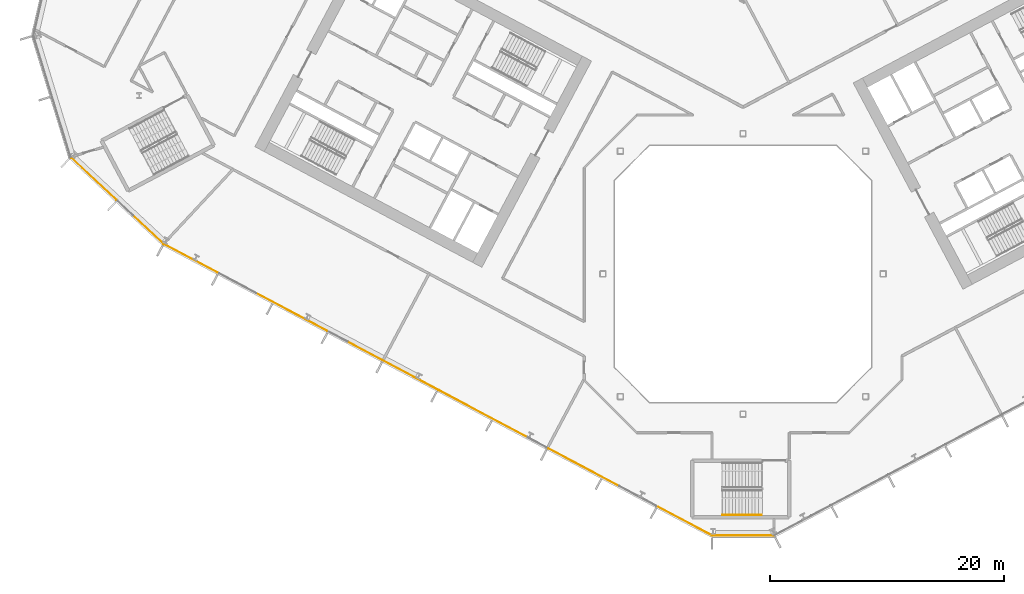
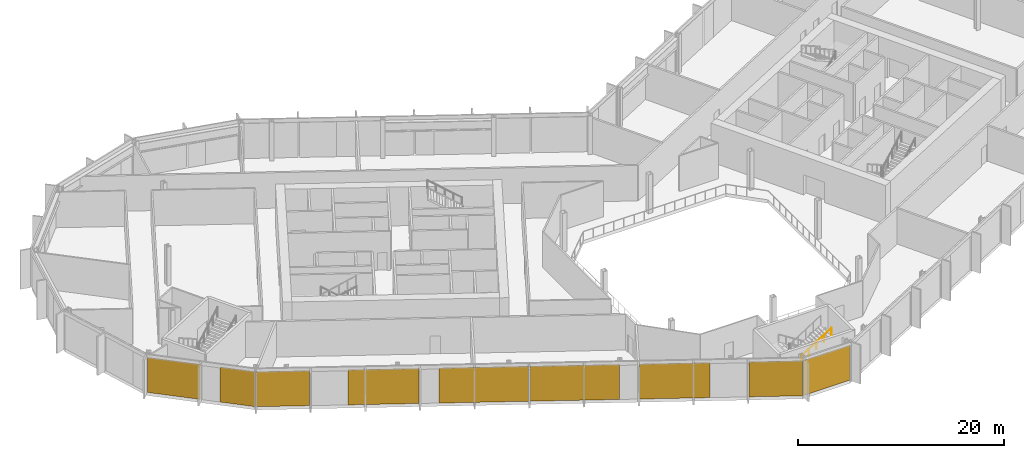
# One storey, part 21 of 31: 9 coverings, 1 railing, 3 elements without a shape of their own.
"""IFC4 building model written with IfcOpenShell, lengths in metres."""

import ifcopenshell
import ifcopenshell.guid

model = None  # the IFC model being written
_history = None  # IfcOwnerHistory: only IFC2X3 demands one
_inside = {}  # id of a spatial element -> (the spatial element, [elements in it])
_under = {}  # id of a project, library or spatial element -> (it, [spatial elements below it])
_declared = {}  # id of a project -> (the project, [libraries it declares])
_typed = {}  # id of a type object -> (the type object, [elements of that type])
_made_of = {}  # id of a material, layer set ... -> (it, [elements and type objects made of it])


def new_model(schema):
    """Start an empty IFC model of exactly this schema.

    Asked for "IFC4X3", IfcOpenShell would pick the latest addendum, in which some entities
    have other attributes; the version numbers below select the first issue.
    IFC2X3 requires an IfcOwnerHistory on every rooted entity: one is made here for all.
    """
    global model, _history
    if schema == "IFC4X3":
        model = ifcopenshell.file(schema_version=(4, 3, 0, 0))
    else:
        model = ifcopenshell.file(schema=schema)
    _inside.clear()
    _under.clear()
    _declared.clear()
    _typed.clear()
    _made_of.clear()
    _history = None
    if model.schema == "IFC2X3":
        org = make("IfcOrganization", Name="unknown")
        user = make(
            "IfcPersonAndOrganization",
            ThePerson=make("IfcPerson", FamilyName="unknown"),
            TheOrganization=org,
        )
        app = make(
            "IfcApplication",
            ApplicationDeveloper=org,
            Version="unknown",
            ApplicationFullName="unknown",
            ApplicationIdentifier="unknown",
        )
        _history = make(
            "IfcOwnerHistory",
            OwningUser=user,
            OwningApplication=app,
            ChangeAction="ADDED",
            CreationDate=0,
        )
    return model


def make(cls, **values):
    """One entity of the class cls with the attributes given. An attribute that is None is left unset."""
    return model.create_entity(
        cls, **{name: value for name, value in values.items() if value is not None}
    )


def rooted(cls, **values):
    """An entity with a GlobalId (a new one), such as an element, a storey or a relation."""
    return make(cls, GlobalId=ifcopenshell.guid.new(), OwnerHistory=_history, **values)


def si_unit(unit_type, name, prefix=None):
    """IfcSIUnit, for example si_unit("LENGTHUNIT", "METRE", prefix="MILLI")."""
    return make("IfcSIUnit", UnitType=unit_type, Prefix=prefix, Name=name)


def assignment(units):
    """IfcUnitAssignment: the units of a project."""
    return None if units is None else make("IfcUnitAssignment", Units=units)


def point(xyz):
    """IfcCartesianPoint."""
    return None if xyz is None else make("IfcCartesianPoint", Coordinates=xyz)


def direction(xyz):
    """IfcDirection."""
    return None if xyz is None else make("IfcDirection", DirectionRatios=xyz)


def frame(location, z_axis=None, x_axis=None):
    """IfcAxis2Placement3D, a coordinate frame: its origin and axes. An axis left out is left unset."""
    return make(
        "IfcAxis2Placement3D",
        Location=point(location),
        Axis=direction(z_axis),
        RefDirection=direction(x_axis),
    )


def frame_2d(location, x_axis=None):
    """IfcAxis2Placement2D, a coordinate frame in the plane: its origin and x axis."""
    return make(
        "IfcAxis2Placement2D", Location=point(location), RefDirection=direction(x_axis)
    )


def origin():
    """The frame at (0, 0, 0) with its axes left unset."""
    return frame((0.0, 0.0, 0.0))


def origin_2d():
    """The frame at (0, 0) in the plane with its x axis left unset."""
    return frame_2d((0.0, 0.0))


def place(relative_to, where):
    """IfcLocalPlacement: puts the frame where relative to a parent placement (None: the world)."""
    return make(
        "IfcLocalPlacement", PlacementRelTo=relative_to, RelativePlacement=where
    )


def context(
    kind, dimensions, precision=None, world=None, true_north=None, identifier=None
):
    """IfcGeometricRepresentationContext, for example the 3D "Model" context."""
    return make(
        "IfcGeometricRepresentationContext",
        ContextIdentifier=identifier,
        ContextType=kind,
        CoordinateSpaceDimension=dimensions,
        Precision=precision,
        WorldCoordinateSystem=world,
        TrueNorth=true_north,
    )


def subcontext(parent, identifier, kind, view, scale=None):
    """IfcGeometricRepresentationSubContext, for example "Body" below "Model"."""
    return make(
        "IfcGeometricRepresentationSubContext",
        ContextIdentifier=identifier,
        ContextType=kind,
        ParentContext=parent,
        TargetScale=scale,
        TargetView=view,
    )


def project(units=None, contexts=None):
    """IfcProject with its units and contexts."""
    return rooted(
        "IfcProject",
        Name="project",
        RepresentationContexts=contexts,
        UnitsInContext=assignment(units),
    )


def spatial(cls, under=None, at=None, **own):
    """A site, building, storey or space (cls), placed at a placement, below another one or the project."""
    s = rooted(cls, ObjectPlacement=at, **own)
    if under is not None:
        _under.setdefault(under.id(), (under, []))[1].append(s)
    return s


def polyline(points):
    """IfcPolyline through the points."""
    return make("IfcPolyline", Points=[point(p) for p in points])


def profile(cls, at=None, kind="AREA", **sizes):
    """A parametric profile (cls). Its sizes go by their IFC names, for example OverallWidth=200.0."""
    return make(cls, ProfileType=kind, Position=at, **sizes)


def rectangle(**sizes):
    """IfcRectangleProfileDef."""
    return profile("IfcRectangleProfileDef", **sizes)


def outline(outer, holes=None, kind="AREA"):
    """IfcArbitraryClosedProfileDef: a profile drawn as a closed curve; with holes, ...WithVoids."""
    if holes is None:
        return make("IfcArbitraryClosedProfileDef", ProfileType=kind, OuterCurve=outer)
    return make(
        "IfcArbitraryProfileDefWithVoids",
        ProfileType=kind,
        OuterCurve=outer,
        InnerCurves=holes,
    )


def extrude(swept, where, along, depth):
    """IfcExtrudedAreaSolid: the profile swept, set in the frame where, extruded along a direction by depth."""
    return make(
        "IfcExtrudedAreaSolid",
        SweptArea=swept,
        Position=where,
        ExtrudedDirection=direction(along),
        Depth=depth,
    )


def shape(context_of_items, identifier, shape_type, items):
    """IfcShapeRepresentation: the items that make up one representation, for example the "Body"."""
    return make(
        "IfcShapeRepresentation",
        ContextOfItems=context_of_items,
        RepresentationIdentifier=identifier,
        RepresentationType=shape_type,
        Items=items,
    )


def material(Name=None, Category=None):
    """IfcMaterial."""
    return make("IfcMaterial", Name=Name, Category=Category)


def layer(
    of_material, thickness, ventilated=None, Name=None, Category=None, Priority=None
):
    """IfcMaterialLayer: one layer of a wall or slab, of a material (None: an air gap)."""
    return make(
        "IfcMaterialLayer",
        Material=of_material,
        LayerThickness=thickness,
        IsVentilated=ventilated,
        Name=Name,
        Category=Category,
        Priority=Priority,
    )


def layer_set(layers, Name=None):
    """IfcMaterialLayerSet."""
    return make("IfcMaterialLayerSet", MaterialLayers=layers, LayerSetName=Name)


def made_of(thing, what):
    """Note that an element or type object is made of a material, layer set ...; save() writes the relation."""
    if what is not None:
        _made_of.setdefault(what.id(), (what, []))[1].append(thing)
    return thing


def type_object(cls, material=None, **own):
    """A type object (cls), such as IfcWallType, which elements share."""
    return made_of(rooted(cls, **own), material)


def element(
    cls,
    number,
    at=None,
    inside=None,
    cuts=None,
    type_object=None,
    material=None,
    context=None,
    identifier="Body",
    shape_type=None,
    held_by="IfcProductDefinitionShape",
    body=None,
    shapes=None,
    **own,
):
    """One element of the class cls, such as IfcWall. Its Tag is "e" and its number.

    at: its placement. inside: the storey or other place that contains it. cuts: it is an
    opening in that element (IfcRelVoidsElement). A single representation is given by context,
    identifier, shape_type and body (its items); several are given by shapes. held_by: the class
    of the entity that holds the representations. save() writes the other relations.
    """
    e = rooted(cls, Tag="e%d" % number, ObjectPlacement=at, **own)
    if body is not None:
        shapes = [shape(context, identifier, shape_type, body)]
    if shapes is not None:
        e.Representation = make(held_by, Representations=shapes)
    if inside is not None:
        _inside.setdefault(inside.id(), (inside, []))[1].append(e)
    if cuts is not None:
        rooted(
            "IfcRelVoidsElement", RelatingBuildingElement=cuts, RelatedOpeningElement=e
        )
    if type_object is not None:
        _typed.setdefault(type_object.id(), (type_object, []))[1].append(e)
    return made_of(e, material)


def aggregate(whole, parts):
    """IfcRelAggregates: a whole, such as a stair, and the parts it consists of."""
    return rooted("IfcRelAggregates", RelatingObject=whole, RelatedObjects=parts)


def save(model, path):
    """Write the relations noted so far, then the file.

    IfcRelAggregates (storeys below a building ...), IfcRelContainedInSpatialStructure (elements
    in a storey), IfcRelDefinesByType, IfcRelAssociatesMaterial and IfcRelDeclares: one each for
    every whole, place, type object, material and project.
    """
    for whole, parts in _under.values():
        aggregate(whole, parts)
    for where, things in _inside.values():
        rooted(
            "IfcRelContainedInSpatialStructure",
            RelatedElements=things,
            RelatingStructure=where,
        )
    for kind, things in _typed.values():
        rooted("IfcRelDefinesByType", RelatedObjects=things, RelatingType=kind)
    for what, things in _made_of.values():
        rooted("IfcRelAssociatesMaterial", RelatedObjects=things, RelatingMaterial=what)
    for by, libraries in _declared.values():
        rooted("IfcRelDeclares", RelatingContext=by, RelatedDefinitions=libraries)
    model.write(path)


model = new_model("IFC4")

# Units and contexts
model_context = context("Model", 3, precision=1e-05, world=origin(), true_north=direction((0.0, 1.0)))
body_context = subcontext(model_context, "Body", "Model", "MODEL_VIEW")
ifc_project = project(units=[si_unit("LENGTHUNIT", "METRE"), si_unit("AREAUNIT", "SQUARE_METRE"), si_unit("VOLUMEUNIT", "CUBIC_METRE"), si_unit("PLANEANGLEUNIT", "RADIAN"), si_unit("MASSUNIT", "GRAM", prefix="KILO")], contexts=[model_context])

# Site, building, storey
site_placement = place(None, origin())
site = spatial("IfcSite", under=ifc_project, at=site_placement, CompositionType="ELEMENT")
building_placement = place(site_placement, origin())
building = spatial("IfcBuilding", under=site, at=building_placement, Name="Cormorant Relay Tower", CompositionType="ELEMENT")
storey_placement = place(building_placement, frame((0.0, 0.0, 93.800048828125)))
storey = spatial("IfcBuildingStorey", under=building, at=storey_placement, Name="L18", CompositionType="ELEMENT", Elevation=93.800048828125)

# Curtain wall, covering
ifc_material_1 = material(Name="Aluminium 6063-T6 anodised bronze", Category="aluminium")
ifc_layer_1 = layer(ifc_material_1, 0.199951171875)
ifc_layer_set_1 = layer_set([ifc_layer_1], Name="CW1 unitised bronze curtain wall with vertical fins")
curtain_wall_type = type_object("IfcCurtainWallType", Name="CW1 unitised bronze curtain wall with vertical fins", PredefinedType="NOTDEFINED", material=ifc_layer_set_1)
curtain_wall_1_placement = place(storey_placement, origin())
curtain_wall_1 = element("IfcCurtainWall", 1, at=curtain_wall_1_placement, inside=storey, type_object=curtain_wall_type, Name="CW1 curtain wall 1", PredefinedType="NOTDEFINED")
ifc_material_2 = material(Name="Pale bronze anodised aluminium insulated panel", Category="aluminium")
ifc_layer_2 = layer(ifc_material_2, 0.0400390625)
ifc_layer_set_2 = layer_set([ifc_layer_2], Name="CW1 pale bronze insulated panel 40")
covering_type = type_object("IfcCoveringType", Name="CW1 pale bronze insulated panel 40", PredefinedType="CLADDING", material=ifc_layer_set_2)
covering_1_placement = place(storey_placement, frame((0.03759765625, -22.3955078125, 0.0), z_axis=(0.0, 0.0, 1.0), x_axis=(1.0, 0.0, 0.0)))
covering_1 = element("IfcCovering", 2, at=covering_1_placement, type_object=covering_type, Name="CW1 panel S00", PredefinedType="CLADDING", context=body_context, shape_type="SweptSolid", body=[
    extrude(rectangle(XDim=5.22265625, YDim=0.0400390625, at=origin_2d()), origin(), (0.0, 0.0, 1.0), 4.14990234375),
])
aggregate(curtain_wall_1, [covering_1])

# Curtain wall, coverings
curtain_wall_2_placement = place(storey_placement, origin())
curtain_wall_2 = element("IfcCurtainWall", 3, at=curtain_wall_2_placement, inside=storey, type_object=curtain_wall_type, Name="CW1 curtain wall 13", PredefinedType="NOTDEFINED")
covering_2_placement = place(storey_placement, frame((-55.56787109375, 8.1298828125, 0.0), z_axis=(0.0, 0.0, 1.0), x_axis=(0.731353701619, -0.681998360062, 0.0)))
covering_2 = element("IfcCovering", 4, at=covering_2_placement, type_object=covering_type, Name="CW1 panel S00", PredefinedType="CLADDING", context=body_context, shape_type="SweptSolid", body=[
    extrude(rectangle(XDim=5.28515625, YDim=0.0400390625, at=origin_2d()), origin(), (0.0, 0.0, 1.0), 4.14990234375),
])
covering_3_placement = place(storey_placement, frame((-50.906982421875, 3.78369140625, 0.0), z_axis=(0.0, 0.0, 1.0), x_axis=(0.731353701619, -0.681998360062, 0.0)))
covering_3 = element("IfcCovering", 5, at=covering_3_placement, type_object=covering_type, Name="CW1 panel S02", PredefinedType="CLADDING", context=body_context, shape_type="SweptSolid", body=[
    extrude(rectangle(XDim=3.560302734375, YDim=0.0400390625, at=origin_2d()), origin(), (0.0, 0.0, 1.0), 4.14990234375),
])
aggregate(curtain_wall_2, [covering_2, covering_3])

curtain_wall_3_placement = place(storey_placement, origin())
curtain_wall_3 = element("IfcCurtainWall", 6, at=curtain_wall_3_placement, inside=storey, type_object=curtain_wall_type, Name="CW1 curtain wall 14", PredefinedType="NOTDEFINED")
covering_4_placement = place(storey_placement, frame((-47.25390625, 1.318603515625, 0.0), z_axis=(0.0, 0.0, 1.0), x_axis=(0.882947592859, -0.469471562786, 0.0)))
covering_4 = element("IfcCovering", 7, at=covering_4_placement, type_object=covering_type, Name="CW1 panel S00", PredefinedType="CLADDING", context=body_context, shape_type="SweptSolid", body=[
    extrude(rectangle(XDim=5.16650390625, YDim=0.0400390625, at=origin_2d()), origin(), (0.0, 0.0, 1.0), 4.14990234375),
])
covering_5_placement = place(storey_placement, frame((-38.623046875, -3.2705078125, 0.0), z_axis=(0.0, 0.0, 1.0), x_axis=(0.882947592859, -0.469471562786, 0.0)))
covering_5 = element("IfcCovering", 8, at=covering_5_placement, type_object=covering_type, Name="CW1 panel S02", PredefinedType="CLADDING", context=body_context, shape_type="SweptSolid", body=[
    extrude(rectangle(XDim=6.88330078125, YDim=0.0400390625, at=origin_2d()), origin(), (0.0, 0.0, 1.0), 4.14990234375),
])
covering_6_placement = place(storey_placement, frame((-30.029296875, -7.83984375, 0.0), z_axis=(0.0, 0.0, 1.0), x_axis=(0.882947592859, -0.469471562786, 0.0)))
covering_6 = element("IfcCovering", 9, at=covering_6_placement, type_object=covering_type, Name="CW1 panel S04", PredefinedType="CLADDING", context=body_context, shape_type="SweptSolid", body=[
    extrude(rectangle(XDim=8.68310546875, YDim=0.0400390625, at=origin_2d()), origin(), (0.0, 0.0, 1.0), 4.14990234375),
])
covering_7_placement = place(storey_placement, frame((-22.22998046875, -11.98681640625, 0.0), z_axis=(0.0, 0.0, 1.0), x_axis=(0.882947592859, -0.469471562786, 0.0)))
covering_7 = element("IfcCovering", 10, at=covering_7_placement, type_object=covering_type, Name="CW1 panel S05", PredefinedType="CLADDING", context=body_context, shape_type="SweptSolid", body=[
    extrude(rectangle(XDim=8.68310546875, YDim=0.0400390625, at=origin_2d()), origin(), (0.0, 0.0, 1.0), 4.14990234375),
])
covering_8_placement = place(storey_placement, frame((-13.635986328125, -16.55615234375, 0.0), z_axis=(0.0, 0.0, 1.0), x_axis=(0.882947592859, -0.469471562786, 0.0)))
covering_8 = element("IfcCovering", 11, at=covering_8_placement, type_object=covering_type, Name="CW1 panel S07", PredefinedType="CLADDING", context=body_context, shape_type="SweptSolid", body=[
    extrude(rectangle(XDim=6.88330078125, YDim=0.0400390625, at=origin_2d()), origin(), (0.0, 0.0, 1.0), 4.14990234375),
])
covering_9_placement = place(storey_placement, frame((-4.972412109375, -21.162841796875, 0.0), z_axis=(0.0, 0.0, 1.0), x_axis=(0.882947592859, -0.469471562786, 0.0)))
covering_9 = element("IfcCovering", 12, at=covering_9_placement, type_object=covering_type, Name="CW1 panel S09", PredefinedType="CLADDING", context=body_context, shape_type="SweptSolid", body=[
    extrude(rectangle(XDim=5.24169921875, YDim=0.0400390625, at=origin_2d()), origin(), (0.0, 0.0, 1.0), 4.14990234375),
])
aggregate(curtain_wall_3, [covering_4, covering_5, covering_6, covering_7, covering_8, covering_9])

# Railing
ifc_material_3 = material(Name="Steel ASTM A572 Grade 50 (Fy 345 MPa)", Category="steel")
railing_type = type_object("IfcRailingType", Name="Stair handrail 900", PredefinedType="HANDRAIL", material=ifc_material_3)
railing_placement = place(storey_placement, frame((-1.760009765625, -20.625, 2.476806640625)))
element("IfcRailing", 13, at=railing_placement, inside=storey, type_object=railing_type, Name="L18 RK1 stair handrail 2", PredefinedType="HANDRAIL", context=body_context, shape_type="SweptSolid", body=[
    extrude(outline(polyline([(0.022216796875, 0.00927734375), (0.00927734375, 0.022216796875), (-0.00927734375, 0.022216796875), (-0.022216796875, 0.00927734375), (-0.022216796875, -0.00927734375), (-0.00927734375, -0.022216796875), (0.00927734375, -0.022216796875), (0.022216796875, -0.00927734375), (0.022216796875, 0.00927734375)])), frame((0.0, 0.0, 0.8759765625), z_axis=(0.845389635667, 0.0, 0.534150132366), x_axis=(0.0, 1.0, 0.0)), (0.0, 0.0, 1.0), 3.974609375),
    extrude(outline(polyline([(0.019287109375, 0.008056640625), (0.008056640625, 0.019287109375), (-0.008056640625, 0.019287109375), (-0.019287109375, 0.008056640625), (-0.019287109375, -0.008056640625), (-0.008056640625, -0.019287109375), (0.008056640625, -0.019287109375), (0.019287109375, -0.008056640625), (0.019287109375, 0.008056640625)])), origin(), (0.0, 0.0, 1.0), 0.851806640625),
    extrude(outline(polyline([(0.019287109375, 0.008056640625), (0.008056640625, 0.019287109375), (-0.008056640625, 0.019287109375), (-0.019287109375, 0.008056640625), (-0.019287109375, -0.008056640625), (-0.008056640625, -0.019287109375), (0.008056640625, -0.019287109375), (0.019287109375, -0.008056640625), (0.019287109375, 0.008056640625)])), frame((0.840087890625, 0.0, 0.53076171875)), (0.0, 0.0, 1.0), 0.851806640625),
    extrude(outline(polyline([(0.019287109375, 0.008056640625), (0.008056640625, 0.019287109375), (-0.008056640625, 0.019287109375), (-0.019287109375, 0.008056640625), (-0.019287109375, -0.008056640625), (-0.008056640625, -0.019287109375), (0.008056640625, -0.019287109375), (0.019287109375, -0.008056640625), (0.019287109375, 0.008056640625)])), frame((1.68017578125, 0.0, 1.0615234375)), (0.0, 0.0, 1.0), 0.851806640625),
    extrude(outline(polyline([(0.019287109375, 0.008056640625), (0.008056640625, 0.019287109375), (-0.008056640625, 0.019287109375), (-0.019287109375, 0.008056640625), (-0.019287109375, -0.008056640625), (-0.008056640625, -0.019287109375), (0.008056640625, -0.019287109375), (0.019287109375, -0.008056640625), (0.019287109375, 0.008056640625)])), frame((2.52001953125, 0.0, 1.59228515625)), (0.0, 0.0, 1.0), 0.851806640625),
    extrude(outline(polyline([(0.019287109375, 0.008056640625), (0.008056640625, 0.019287109375), (-0.008056640625, 0.019287109375), (-0.019287109375, 0.008056640625), (-0.019287109375, -0.008056640625), (-0.008056640625, -0.019287109375), (0.008056640625, -0.019287109375), (0.019287109375, -0.008056640625), (0.019287109375, 0.008056640625)])), frame((3.360107421875, 0.0, 2.123046875)), (0.0, 0.0, 1.0), 0.851806640625),
])

save(model, "model.ifc")
